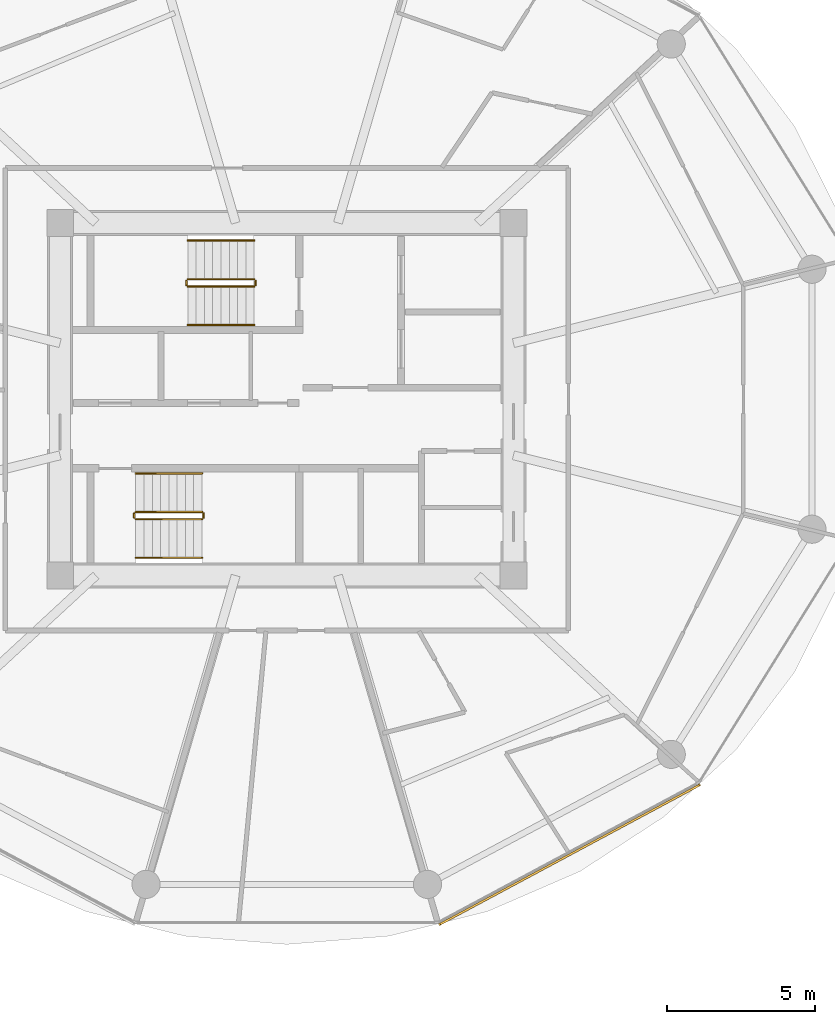
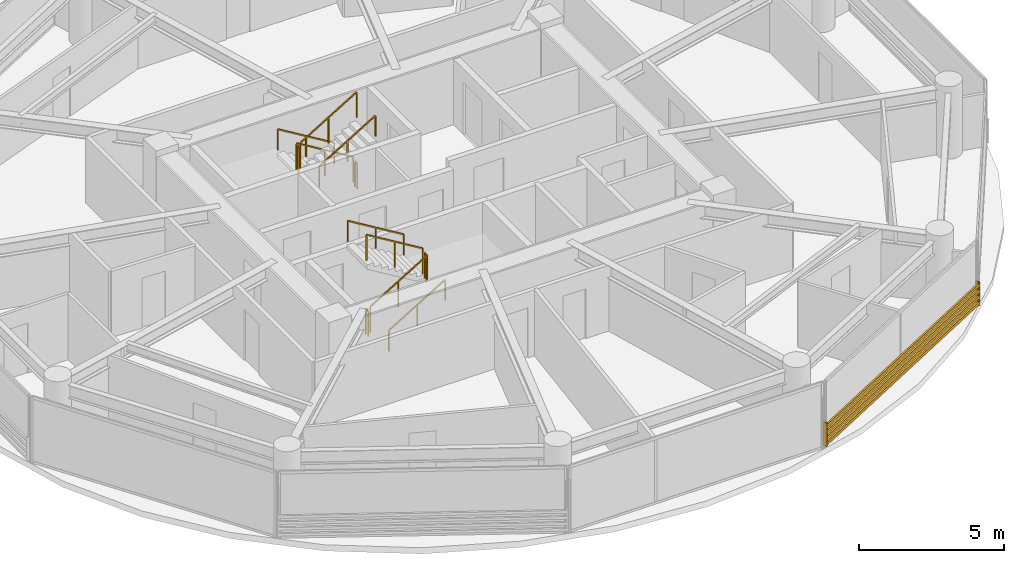
# One storey, part 26 of 27: 12 railings, 1 shading device.
"""IFC4 building model written with IfcOpenShell, lengths in metres."""

from ifc_helpers import new_model, si_unit, direction, frame, origin, origin_2d, place, context, subcontext, project, spatial, rectangle, extrude, source, transform, mapped, material, type_object, type_shapes, element, save


model = new_model("IFC4")

# Units and contexts
model_context = context("Model", 3, precision=1e-05, world=origin(), true_north=direction((0.0, 1.0)))
body_context = subcontext(model_context, "Body", "Model", "MODEL_VIEW")
ifc_project = project(units=[si_unit("LENGTHUNIT", "METRE"), si_unit("AREAUNIT", "SQUARE_METRE"), si_unit("VOLUMEUNIT", "CUBIC_METRE"), si_unit("PLANEANGLEUNIT", "RADIAN"), si_unit("MASSUNIT", "GRAM", prefix="KILO")], contexts=[model_context])

# Site, building, storey
site_placement = place(None, origin())
site = spatial("IfcSite", under=ifc_project, at=site_placement, CompositionType="ELEMENT")
building_placement = place(site_placement, origin())
building = spatial("IfcBuilding", under=site, at=building_placement, Name="Norrkilde Senior Care Towers", CompositionType="ELEMENT")
storey_placement = place(building_placement, frame((0.0, 0.0, 58.199951171875)))
storey = spatial("IfcBuildingStorey", under=building, at=storey_placement, Name="L17", CompositionType="ELEMENT", Elevation=58.199951171875)

# Railings
ifc_material_1 = material(Name="Stainless Steel", Category="steel")
railing_type_1 = type_object("IfcRailingType", Name="Stair and Terrace Guardrail 1100", PredefinedType="GUARDRAIL", material=ifc_material_1)
railing_1_placement = place(storey_placement, frame((26.89990234375, 4.050048828125, 0.16943359375)))
element("IfcRailing", 1, at=railing_1_placement, inside=storey, type_object=railing_type_1, Name="L17 ST-E1 stair guard 1", PredefinedType="GUARDRAIL", context=body_context, shape_type="SweptSolid", body=[
    extrude(rectangle(XDim=0.048095703125, YDim=0.048095703125, at=origin_2d()), frame((0.0, 0.0, 1.076171875), z_axis=(-0.855512035549, 0.0, 0.517782924622), x_axis=(0.0, -1.0, 0.0)), (0.0, 0.0, 1.0), 2.618408203125),
    extrude(rectangle(XDim=0.0419921875, YDim=0.0419921875, at=origin_2d()), origin(), (0.0, 0.0, 1.0), 1.050048828125),
    extrude(rectangle(XDim=0.0419921875, YDim=0.0419921875, at=origin_2d()), frame((-1.1201171875, 0.0, 0.677734375)), (0.0, 0.0, 1.0), 1.050048828125),
    extrude(rectangle(XDim=0.0419921875, YDim=0.0419921875, at=origin_2d()), frame((-2.239990234375, 0.0, 1.355712890625)), (0.0, 0.0, 1.0), 1.050048828125),
])
railing_2_placement = place(storey_placement, frame((24.610107421875, 4.0, 1.525146484375)))
element("IfcRailing", 2, at=railing_2_placement, inside=storey, type_object=railing_type_1, Name="L17 ST-E1 stair guard 2", PredefinedType="GUARDRAIL", context=body_context, shape_type="SweptSolid", body=[
    extrude(rectangle(XDim=0.048095703125, YDim=0.048095703125, at=origin_2d()), frame((0.0, 0.0, 1.076171875), z_axis=(0.0, -1.0, 0.0), x_axis=(1.0, 0.0, 0.0)), (0.0, 0.0, 1.0), 0.14990234375),
    extrude(rectangle(XDim=0.0419921875, YDim=0.0419921875, at=origin_2d()), origin(), (0.0, 0.0, 1.0), 1.050048828125),
    extrude(rectangle(XDim=0.0419921875, YDim=0.0419921875, at=origin_2d()), frame((0.0, -0.14990234375, 0.0)), (0.0, 0.0, 1.0), 1.050048828125),
])
railing_3_placement = place(storey_placement, frame((24.659912109375, 3.800048828125, 1.694580078125)))
element("IfcRailing", 3, at=railing_3_placement, inside=storey, type_object=railing_type_1, Name="L17 ST-E1 stair guard 3", PredefinedType="GUARDRAIL", context=body_context, shape_type="SweptSolid", body=[
    extrude(rectangle(XDim=0.048095703125, YDim=0.048095703125, at=origin_2d()), frame((0.0, 0.0, 1.076171875), z_axis=(0.855553338991, 0.0, 0.51771467445), x_axis=(0.0, 1.0, 0.0)), (0.0, 0.0, 1.0), 2.6181640625),
    extrude(rectangle(XDim=0.0419921875, YDim=0.0419921875, at=origin_2d()), origin(), (0.0, 0.0, 1.0), 1.050048828125),
    extrude(rectangle(XDim=0.0419921875, YDim=0.0419921875, at=origin_2d()), frame((1.1201171875, 0.0, 0.677734375)), (0.0, 0.0, 1.0), 1.050048828125),
    extrude(rectangle(XDim=0.0419921875, YDim=0.0419921875, at=origin_2d()), frame((2.239990234375, 0.0, 1.35546875)), (0.0, 0.0, 1.0), 1.050048828125),
])
railing_4_placement = place(storey_placement, frame((26.949951171875, 4.0, 0.0)))
element("IfcRailing", 4, at=railing_4_placement, inside=storey, type_object=railing_type_1, Name="L17 ST-E1 stair guard 4", PredefinedType="GUARDRAIL", context=body_context, shape_type="SweptSolid", body=[
    extrude(rectangle(XDim=0.048095703125, YDim=0.048095703125, at=origin_2d()), frame((0.0, 0.0, 1.076171875), z_axis=(0.0, -1.0, 0.0), x_axis=(1.0, 0.0, 0.0)), (0.0, 0.0, 1.0), 0.14990234375),
    extrude(rectangle(XDim=0.0419921875, YDim=0.0419921875, at=origin_2d()), origin(), (0.0, 0.0, 1.0), 1.050048828125),
    extrude(rectangle(XDim=0.0419921875, YDim=0.0419921875, at=origin_2d()), frame((0.0, -0.14990234375, 0.0)), (0.0, 0.0, 1.0), 1.050048828125),
])
railing_5_placement = place(storey_placement, frame((22.89990234375, -4.050048828125, 0.16943359375)))
element("IfcRailing", 5, at=railing_5_placement, inside=storey, type_object=railing_type_1, Name="L17 ST-E2 stair guard 1", PredefinedType="GUARDRAIL", context=body_context, shape_type="SweptSolid", body=[
    extrude(rectangle(XDim=0.048095703125, YDim=0.048095703125, at=origin_2d()), frame((0.0, 0.0, 1.076171875), z_axis=(0.855512035549, 0.0, 0.517782924622), x_axis=(0.0, 1.0, 0.0)), (0.0, 0.0, 1.0), 2.618408203125),
    extrude(rectangle(XDim=0.0419921875, YDim=0.0419921875, at=origin_2d()), origin(), (0.0, 0.0, 1.0), 1.050048828125),
    extrude(rectangle(XDim=0.0419921875, YDim=0.0419921875, at=origin_2d()), frame((1.1201171875, 0.0, 0.677734375)), (0.0, 0.0, 1.0), 1.050048828125),
    extrude(rectangle(XDim=0.0419921875, YDim=0.0419921875, at=origin_2d()), frame((2.239990234375, 0.0, 1.355712890625)), (0.0, 0.0, 1.0), 1.050048828125),
])
railing_6_placement = place(storey_placement, frame((25.18994140625, -4.0, 1.525146484375)))
element("IfcRailing", 6, at=railing_6_placement, inside=storey, type_object=railing_type_1, Name="L17 ST-E2 stair guard 2", PredefinedType="GUARDRAIL", context=body_context, shape_type="SweptSolid", body=[
    extrude(rectangle(XDim=0.048095703125, YDim=0.048095703125, at=origin_2d()), frame((0.0, 0.0, 1.076171875), z_axis=(0.0, 1.0, 0.0), x_axis=(-1.0, 0.0, 0.0)), (0.0, 0.0, 1.0), 0.14990234375),
    extrude(rectangle(XDim=0.0419921875, YDim=0.0419921875, at=origin_2d()), origin(), (0.0, 0.0, 1.0), 1.050048828125),
    extrude(rectangle(XDim=0.0419921875, YDim=0.0419921875, at=origin_2d()), frame((0.0, 0.14990234375, 0.0)), (0.0, 0.0, 1.0), 1.050048828125),
])
railing_7_placement = place(storey_placement, frame((25.139892578125, -3.800048828125, 1.694580078125)))
element("IfcRailing", 7, at=railing_7_placement, inside=storey, type_object=railing_type_1, Name="L17 ST-E2 stair guard 3", PredefinedType="GUARDRAIL", context=body_context, shape_type="SweptSolid", body=[
    extrude(rectangle(XDim=0.048095703125, YDim=0.048095703125, at=origin_2d()), frame((0.0, 0.0, 1.076171875), z_axis=(-0.855553338991, 0.0, 0.51771467445), x_axis=(0.0, -1.0, 0.0)), (0.0, 0.0, 1.0), 2.6181640625),
    extrude(rectangle(XDim=0.0419921875, YDim=0.0419921875, at=origin_2d()), origin(), (0.0, 0.0, 1.0), 1.050048828125),
    extrude(rectangle(XDim=0.0419921875, YDim=0.0419921875, at=origin_2d()), frame((-1.1201171875, 0.0, 0.677734375)), (0.0, 0.0, 1.0), 1.050048828125),
    extrude(rectangle(XDim=0.0419921875, YDim=0.0419921875, at=origin_2d()), frame((-2.239990234375, 0.0, 1.35546875)), (0.0, 0.0, 1.0), 1.050048828125),
])
railing_8_placement = place(storey_placement, frame((22.85009765625, -4.0, 0.0)))
element("IfcRailing", 8, at=railing_8_placement, inside=storey, type_object=railing_type_1, Name="L17 ST-E2 stair guard 4", PredefinedType="GUARDRAIL", context=body_context, shape_type="SweptSolid", body=[
    extrude(rectangle(XDim=0.048095703125, YDim=0.048095703125, at=origin_2d()), frame((0.0, 0.0, 1.076171875), z_axis=(0.0, 1.0, 0.0), x_axis=(-1.0, 0.0, 0.0)), (0.0, 0.0, 1.0), 0.14990234375),
    extrude(rectangle(XDim=0.0419921875, YDim=0.0419921875, at=origin_2d()), origin(), (0.0, 0.0, 1.0), 1.050048828125),
    extrude(rectangle(XDim=0.0419921875, YDim=0.0419921875, at=origin_2d()), frame((0.0, 0.14990234375, 0.0)), (0.0, 0.0, 1.0), 1.050048828125),
])
ifc_material_2 = material(Name="Nordic Ash Timber", Category="wood")
railing_type_2 = type_object("IfcRailingType", Name="Wall and Stair Handrail 900", PredefinedType="HANDRAIL", material=ifc_material_2)
railing_9_placement = place(storey_placement, frame((26.89990234375, 5.35009765625, 0.16943359375)))
element("IfcRailing", 9, at=railing_9_placement, inside=storey, type_object=railing_type_2, Name="L17 ST-E1 stair handrail 1", PredefinedType="HANDRAIL", context=body_context, shape_type="SweptSolid", body=[
    extrude(rectangle(XDim=0.048095703125, YDim=0.048095703125, at=origin_2d()), frame((0.0, 0.0, 0.8759765625), z_axis=(-0.855512035549, 0.0, 0.517782924622), x_axis=(0.0, -1.0, 0.0)), (0.0, 0.0, 1.0), 2.618408203125),
    extrude(rectangle(XDim=0.0419921875, YDim=0.0419921875, at=origin_2d()), origin(), (0.0, 0.0, 1.0), 0.849853515625),
    extrude(rectangle(XDim=0.0419921875, YDim=0.0419921875, at=origin_2d()), frame((-1.1201171875, 0.0, 0.677734375)), (0.0, 0.0, 1.0), 0.849853515625),
    extrude(rectangle(XDim=0.0419921875, YDim=0.0419921875, at=origin_2d()), frame((-2.239990234375, 0.0, 1.355712890625)), (0.0, 0.0, 1.0), 0.849853515625),
])
railing_10_placement = place(storey_placement, frame((24.659912109375, 2.5, 1.694580078125)))
element("IfcRailing", 10, at=railing_10_placement, inside=storey, type_object=railing_type_2, Name="L17 ST-E1 stair handrail 2", PredefinedType="HANDRAIL", context=body_context, shape_type="SweptSolid", body=[
    extrude(rectangle(XDim=0.048095703125, YDim=0.048095703125, at=origin_2d()), frame((0.0, 0.0, 0.8759765625), z_axis=(0.855553338991, 0.0, 0.51771467445), x_axis=(0.0, 1.0, 0.0)), (0.0, 0.0, 1.0), 2.6181640625),
    extrude(rectangle(XDim=0.0419921875, YDim=0.0419921875, at=origin_2d()), origin(), (0.0, 0.0, 1.0), 0.849853515625),
    extrude(rectangle(XDim=0.0419921875, YDim=0.0419921875, at=origin_2d()), frame((1.1201171875, 0.0, 0.677734375)), (0.0, 0.0, 1.0), 0.849853515625),
    extrude(rectangle(XDim=0.0419921875, YDim=0.0419921875, at=origin_2d()), frame((2.239990234375, 0.0, 1.35546875)), (0.0, 0.0, 1.0), 0.849853515625),
])
railing_11_placement = place(storey_placement, frame((22.89990234375, -5.35009765625, 0.16943359375)))
element("IfcRailing", 11, at=railing_11_placement, inside=storey, type_object=railing_type_2, Name="L17 ST-E2 stair handrail 1", PredefinedType="HANDRAIL", context=body_context, shape_type="SweptSolid", body=[
    extrude(rectangle(XDim=0.048095703125, YDim=0.048095703125, at=origin_2d()), frame((0.0, 0.0, 0.8759765625), z_axis=(0.855512035549, 0.0, 0.517782924622), x_axis=(0.0, 1.0, 0.0)), (0.0, 0.0, 1.0), 2.618408203125),
    extrude(rectangle(XDim=0.0419921875, YDim=0.0419921875, at=origin_2d()), origin(), (0.0, 0.0, 1.0), 0.849853515625),
    extrude(rectangle(XDim=0.0419921875, YDim=0.0419921875, at=origin_2d()), frame((1.1201171875, 0.0, 0.677734375)), (0.0, 0.0, 1.0), 0.849853515625),
    extrude(rectangle(XDim=0.0419921875, YDim=0.0419921875, at=origin_2d()), frame((2.239990234375, 0.0, 1.355712890625)), (0.0, 0.0, 1.0), 0.849853515625),
])
railing_12_placement = place(storey_placement, frame((25.139892578125, -2.5, 1.694580078125)))
element("IfcRailing", 12, at=railing_12_placement, inside=storey, type_object=railing_type_2, Name="L17 ST-E2 stair handrail 2", PredefinedType="HANDRAIL", context=body_context, shape_type="SweptSolid", body=[
    extrude(rectangle(XDim=0.048095703125, YDim=0.048095703125, at=origin_2d()), frame((0.0, 0.0, 0.8759765625), z_axis=(-0.855553338991, 0.0, 0.51771467445), x_axis=(0.0, -1.0, 0.0)), (0.0, 0.0, 1.0), 2.6181640625),
    extrude(rectangle(XDim=0.0419921875, YDim=0.0419921875, at=origin_2d()), origin(), (0.0, 0.0, 1.0), 0.849853515625),
    extrude(rectangle(XDim=0.0419921875, YDim=0.0419921875, at=origin_2d()), frame((-1.1201171875, 0.0, 0.677734375)), (0.0, 0.0, 1.0), 0.849853515625),
    extrude(rectangle(XDim=0.0419921875, YDim=0.0419921875, at=origin_2d()), frame((-2.239990234375, 0.0, 1.35546875)), (0.0, 0.0, 1.0), 0.849853515625),
])

# Shading device
ifc_material_3 = material(Name="Architectural Terracotta", Category="masonry")
shading_device_type = type_object("IfcShadingDeviceType", Name="Horizontal Terracotta Baguette Rack", PredefinedType="USERDEFINED", material=ifc_material_3)
shared_shape = source(origin(), body_context, "Body", "SweptSolid", [
    extrude(rectangle(XDim=0.070068359375, YDim=0.110107421875, at=origin_2d()), frame((0.0, 0.090087890625, 0.125), z_axis=(1.0, 0.0, 0.0), x_axis=(0.0, 1.0, 0.0)), (0.0, 0.0, 1.0), 10.0107421875),
    extrude(rectangle(XDim=0.070068359375, YDim=0.110107421875, at=origin_2d()), frame((0.0, 0.090087890625, 0.375), z_axis=(1.0, 0.0, 0.0), x_axis=(0.0, 1.0, 0.0)), (0.0, 0.0, 1.0), 10.0107421875),
    extrude(rectangle(XDim=0.070068359375, YDim=0.110107421875, at=origin_2d()), frame((0.0, 0.090087890625, 0.625), z_axis=(1.0, 0.0, 0.0), x_axis=(0.0, 1.0, 0.0)), (0.0, 0.0, 1.0), 10.0107421875),
    extrude(rectangle(XDim=0.070068359375, YDim=0.110107421875, at=origin_2d()), frame((0.0, 0.090087890625, 0.875), z_axis=(1.0, 0.0, 0.0), x_axis=(0.0, 1.0, 0.0)), (0.0, 0.0, 1.0), 10.0107421875),
    extrude(rectangle(XDim=0.050048828125, YDim=0.1552734375, at=origin_2d()), frame((0.02490234375, 0.047607421875, 0.0)), (0.0, 0.0, 1.0), 1.0),
    extrude(rectangle(XDim=0.050048828125, YDim=0.1552734375, at=origin_2d()), frame((9.98583984375, 0.047607421875, 0.0)), (0.0, 0.0, 1.0), 1.0),
])
type_shapes(shading_device_type, [shared_shape])
shading_device_placement = place(storey_placement, frame((41.915771484375, -12.926025390625, 0.080078125), z_axis=(0.0, 0.0, 1.0), x_axis=(-0.881279875134, -0.472612428056, 0.0)))
element("IfcShadingDevice", 13, at=shading_device_placement, inside=storey, type_object=shading_device_type, Name="L17 Drum E Terracotta Baguette Screen 09", ObjectType="BAGUETTE", PredefinedType="USERDEFINED", context=body_context, shape_type="MappedRepresentation", body=[
    mapped(shared_shape, transform((0.0, 0.0, 0.0), x_axis=(1.0, 0.0, 0.0), y_axis=(0.0, 1.0, 0.0), z_axis=(0.0, 0.0, 1.0), scale=1.0)),
])

save(model, "model.ifc")
